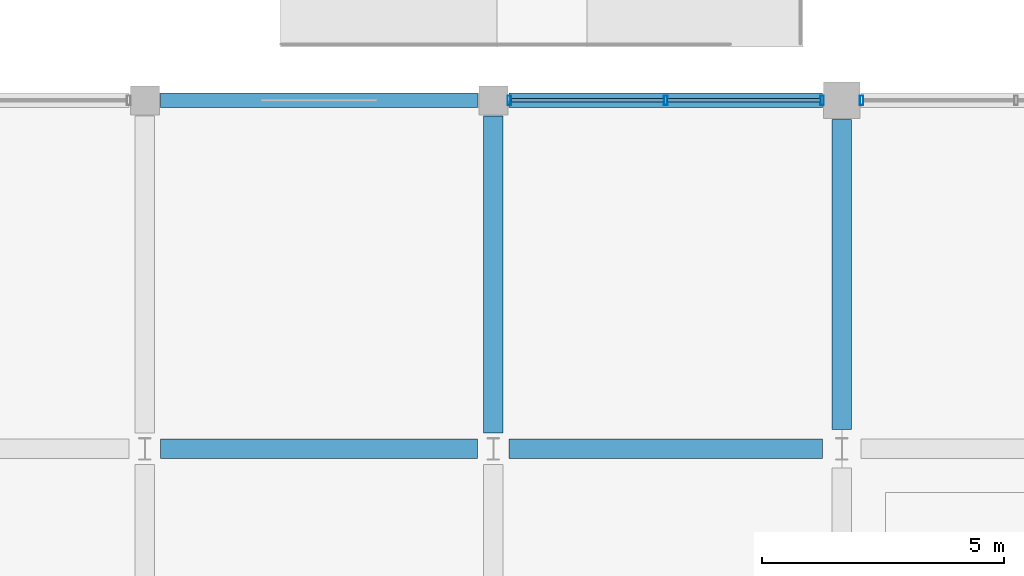
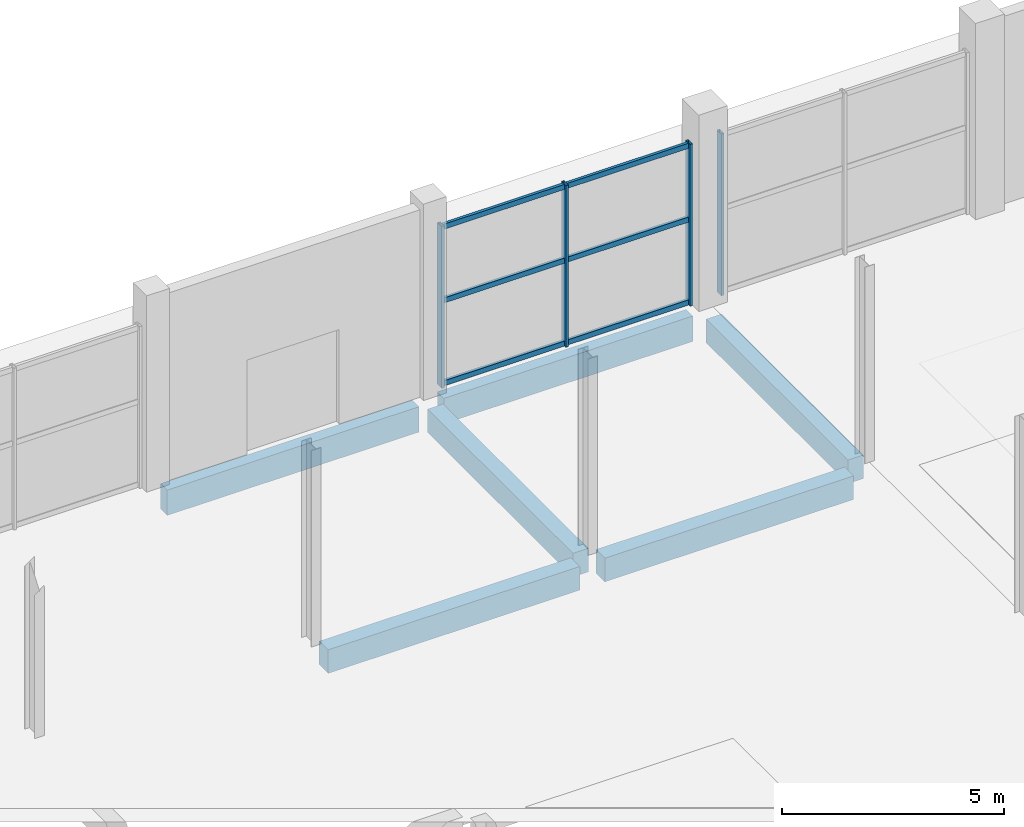
# One storey, part 29 of 90: 10 members, 6 beams, 2 elements without a shape of their own.
"""IFC4 building model written with IfcOpenShell, lengths in metres."""

from ifc_helpers import new_model, si_unit, direction, frame, origin, origin_2d, place, context, subcontext, project, spatial, rectangle, hollow_rectangle, extrude, material, layer, layer_set, material_profile, profile_set, type_object, element, aggregate, save


model = new_model("IFC4")

# Units and contexts
model_context = context("Model", 3, precision=1e-05, world=origin(), true_north=direction((0.0, 1.0)))
body_context = subcontext(model_context, "Body", "Model", "MODEL_VIEW")
ifc_project = project(units=[si_unit("LENGTHUNIT", "METRE"), si_unit("AREAUNIT", "SQUARE_METRE"), si_unit("VOLUMEUNIT", "CUBIC_METRE"), si_unit("PLANEANGLEUNIT", "RADIAN"), si_unit("MASSUNIT", "GRAM", prefix="KILO")], contexts=[model_context])

# Site, building, storey
site_placement = place(None, origin())
site = spatial("IfcSite", under=ifc_project, at=site_placement, CompositionType="ELEMENT")
building_placement = place(site_placement, origin())
building = spatial("IfcBuilding", under=site, at=building_placement, Name="Kangsadwip Square Police Headquarters", CompositionType="ELEMENT")
storey_placement = place(building_placement, origin())
storey = spatial("IfcBuildingStorey", under=building, at=storey_placement, Name="L00", CompositionType="ELEMENT", Elevation=0.0)

# Curtain wall, members
ifc_material_1 = material(Name="Thermally broken anodised aluminium AW-6063-T6", Category="aluminium")
ifc_layer_1 = layer(ifc_material_1, 0.159912109375)
ifc_layer_set_1 = layer_set([ifc_layer_1], Name="Thermally broken anodised aluminium AW-6063-T6")
curtain_wall_type_1 = type_object("IfcCurtainWallType", Name="UnitisedCw6535x4450", PredefinedType="NOTDEFINED", material=ifc_layer_set_1)
curtain_wall_1_placement = place(storey_placement, origin())
curtain_wall_1 = element("IfcCurtainWall", 1, at=curtain_wall_1_placement, inside=storey, type_object=curtain_wall_type_1, Name="Curtain Wall CW-L00-0867-1152", PredefinedType="NOTDEFINED")
ifc_material_2 = material(Name="Thermally broken anodised aluminium AW-6063-T6", Category="aluminium")
ifc_material_profile_1 = material_profile(ifc_material_2, hollow_rectangle(XDim=0.074951171875, YDim=0.199951171875, WallThickness=0.0048828125, at=origin_2d()), Name="CWM 200X75X5")
ifc_profile_set_1 = profile_set([ifc_material_profile_1], Name="Thermally broken anodised aluminium AW-6063-T6")
member_type_1 = type_object("IfcMemberType", Name="CwMullion180x75", PredefinedType="MULLION", material=ifc_profile_set_1)
member_1_placement = place(storey_placement, frame((86.732421875, 115.199951171875, 0.0), z_axis=(0.0, 0.0, 1.0), x_axis=(1.0, 0.0, 0.0)))
member_1 = element("IfcMember", 2, at=member_1_placement, type_object=member_type_1, Name="CW-09 mullion 1", PredefinedType="MULLION", context=body_context, shape_type="SweptSolid", body=[
    extrude(hollow_rectangle(XDim=0.074951171875, YDim=0.199951171875, WallThickness=0.0048828125, at=origin_2d()), origin(), (0.0, 0.0, 1.0), 4.449951171875),
])
member_2_placement = place(storey_placement, frame((89.96240234375, 115.199951171875, 0.0), z_axis=(0.0, 0.0, 1.0), x_axis=(1.0, 0.0, 0.0)))
member_2 = element("IfcMember", 3, at=member_2_placement, type_object=member_type_1, Name="CW-09 mullion 2", PredefinedType="MULLION", context=body_context, shape_type="SweptSolid", body=[
    extrude(hollow_rectangle(XDim=0.074951171875, YDim=0.199951171875, WallThickness=0.0048828125, at=origin_2d()), origin(), (0.0, 0.0, 1.0), 4.449951171875),
])
member_3_placement = place(storey_placement, frame((93.1923828125, 115.199951171875, 0.0), z_axis=(0.0, 0.0, 1.0), x_axis=(1.0, 0.0, 0.0)))
member_3 = element("IfcMember", 4, at=member_3_placement, type_object=member_type_1, Name="CW-09 mullion 3", PredefinedType="MULLION", context=body_context, shape_type="SweptSolid", body=[
    extrude(hollow_rectangle(XDim=0.074951171875, YDim=0.199951171875, WallThickness=0.0048828125, at=origin_2d()), origin(), (0.0, 0.0, 1.0), 4.449951171875),
])

# Curtain wall, member
ifc_material_3 = material(Name="Thermally broken anodised aluminium AW-6063-T6", Category="aluminium")
ifc_layer_2 = layer(ifc_material_3, 0.159912109375)
ifc_layer_set_2 = layer_set([ifc_layer_2], Name="Thermally broken anodised aluminium AW-6063-T6")
curtain_wall_type_2 = type_object("IfcCurtainWallType", Name="UnitisedCw6460x4450", PredefinedType="NOTDEFINED", material=ifc_layer_set_2)
curtain_wall_2_placement = place(storey_placement, origin())
curtain_wall_2 = element("IfcCurtainWall", 5, at=curtain_wall_2_placement, inside=storey, type_object=curtain_wall_type_2, Name="Curtain Wall CW-L00-0940-1152", PredefinedType="NOTDEFINED")
member_4_placement = place(storey_placement, frame((94.007568359375, 115.199951171875, 0.0), z_axis=(0.0, 0.0, 1.0), x_axis=(1.0, 0.0, 0.0)))
member_4 = element("IfcMember", 6, at=member_4_placement, type_object=member_type_1, Name="CW-10 mullion 1", PredefinedType="MULLION", context=body_context, shape_type="SweptSolid", body=[
    extrude(hollow_rectangle(XDim=0.074951171875, YDim=0.199951171875, WallThickness=0.0048828125, at=origin_2d()), origin(), (0.0, 0.0, 1.0), 4.449951171875),
])
aggregate(curtain_wall_2, [member_4])

# Member
ifc_material_4 = material(Name="Thermally broken anodised aluminium AW-6063-T6", Category="aluminium")
ifc_material_profile_2 = material_profile(ifc_material_4, hollow_rectangle(XDim=0.074951171875, YDim=0.139892578125, WallThickness=0.0048828125, at=origin_2d()), Name="CWT 140X75X5")
ifc_profile_set_2 = profile_set([ifc_material_profile_2], Name="Thermally broken anodised aluminium AW-6063-T6")
member_type_2 = type_object("IfcMemberType", Name="CwTransom160x65", PredefinedType="USERDEFINED", material=ifc_profile_set_2)
member_5_placement = place(storey_placement, frame((86.77001953125, 115.199951171875, 0.070068359375), z_axis=(1.0, 0.0, 0.0), x_axis=(0.0, 1.0, 0.0)))
member_5 = element("IfcMember", 7, at=member_5_placement, type_object=member_type_2, Name="CW-09 transom 1.1", ObjectType="TRANSOM", PredefinedType="USERDEFINED", context=body_context, shape_type="SweptSolid", body=[
    extrude(hollow_rectangle(XDim=0.074951171875, YDim=0.139892578125, WallThickness=0.0048828125, at=origin_2d()), origin(), (0.0, 0.0, 1.0), 3.155029296875),
])

member_6_placement = place(storey_placement, frame((86.77001953125, 115.199951171875, 2.35009765625), z_axis=(1.0, 0.0, 0.0), x_axis=(0.0, 1.0, 0.0)))
member_6 = element("IfcMember", 8, at=member_6_placement, type_object=member_type_2, Name="CW-09 transom 1.2", ObjectType="TRANSOM", PredefinedType="USERDEFINED", context=body_context, shape_type="SweptSolid", body=[
    extrude(hollow_rectangle(XDim=0.074951171875, YDim=0.139892578125, WallThickness=0.0048828125, at=origin_2d()), origin(), (0.0, 0.0, 1.0), 3.155029296875),
])

member_7_placement = place(storey_placement, frame((86.77001953125, 115.199951171875, 4.3798828125), z_axis=(1.0, 0.0, 0.0), x_axis=(0.0, 1.0, 0.0)))
member_7 = element("IfcMember", 9, at=member_7_placement, type_object=member_type_2, Name="CW-09 transom 1.3", ObjectType="TRANSOM", PredefinedType="USERDEFINED", context=body_context, shape_type="SweptSolid", body=[
    extrude(hollow_rectangle(XDim=0.074951171875, YDim=0.139892578125, WallThickness=0.0048828125, at=origin_2d()), origin(), (0.0, 0.0, 1.0), 3.155029296875),
])

member_8_placement = place(storey_placement, frame((90.0, 115.199951171875, 0.070068359375), z_axis=(1.0, 0.0, 0.0), x_axis=(0.0, 1.0, 0.0)))
member_8 = element("IfcMember", 10, at=member_8_placement, type_object=member_type_2, Name="CW-09 transom 2.1", ObjectType="TRANSOM", PredefinedType="USERDEFINED", context=body_context, shape_type="SweptSolid", body=[
    extrude(hollow_rectangle(XDim=0.074951171875, YDim=0.139892578125, WallThickness=0.0048828125, at=origin_2d()), origin(), (0.0, 0.0, 1.0), 3.155029296875),
])

member_9_placement = place(storey_placement, frame((90.0, 115.199951171875, 2.35009765625), z_axis=(1.0, 0.0, 0.0), x_axis=(0.0, 1.0, 0.0)))
member_9 = element("IfcMember", 11, at=member_9_placement, type_object=member_type_2, Name="CW-09 transom 2.2", ObjectType="TRANSOM", PredefinedType="USERDEFINED", context=body_context, shape_type="SweptSolid", body=[
    extrude(hollow_rectangle(XDim=0.074951171875, YDim=0.139892578125, WallThickness=0.0048828125, at=origin_2d()), origin(), (0.0, 0.0, 1.0), 3.155029296875),
])

member_10_placement = place(storey_placement, frame((90.0, 115.199951171875, 4.3798828125), z_axis=(1.0, 0.0, 0.0), x_axis=(0.0, 1.0, 0.0)))
member_10 = element("IfcMember", 12, at=member_10_placement, type_object=member_type_2, Name="CW-09 transom 2.3", ObjectType="TRANSOM", PredefinedType="USERDEFINED", context=body_context, shape_type="SweptSolid", body=[
    extrude(hollow_rectangle(XDim=0.074951171875, YDim=0.139892578125, WallThickness=0.0048828125, at=origin_2d()), origin(), (0.0, 0.0, 1.0), 3.155029296875),
])

aggregate(curtain_wall_1, [member_1, member_2, member_3, member_5, member_6, member_7, member_8, member_9, member_10])

# Beams
ifc_material_5 = material(Name="Concrete M35 (35 MPa)", Category="concrete")
ifc_material_profile_3 = material_profile(ifc_material_5, rectangle(XDim=0.39990234375, YDim=0.64990234375, at=origin_2d()), Name="RC BM 650X400")
ifc_profile_set_3 = profile_set([ifc_material_profile_3], Name="Concrete M35 (35 MPa)")
beam_type_1 = type_object("IfcBeamType", Name="RcBeam650x400", PredefinedType="BEAM", material=ifc_profile_set_3)
beam_1_placement = place(storey_placement, frame((79.52490234375, 108.0, -0.574951171875), z_axis=(1.0, 0.0, 0.0), x_axis=(0.0, 1.0, 0.0)))
element("IfcBeam", 13, at=beam_1_placement, inside=storey, type_object=beam_type_1, Name="Beam BM-L00-X-11-15", PredefinedType="BEAM", context=body_context, shape_type="SweptSolid", body=[
    extrude(rectangle(XDim=0.39990234375, YDim=0.64990234375, at=origin_2d()), origin(), (0.0, 0.0, 1.0), 6.550048828125),
])
beam_2_placement = place(storey_placement, frame((86.72509765625, 108.0, -0.574951171875), z_axis=(1.0, 0.0, 0.0), x_axis=(0.0, 1.0, 0.0)))
element("IfcBeam", 14, at=beam_2_placement, inside=storey, type_object=beam_type_1, Name="Beam BM-L00-X-12-15", PredefinedType="BEAM", context=body_context, shape_type="SweptSolid", body=[
    extrude(rectangle(XDim=0.39990234375, YDim=0.64990234375, at=origin_2d()), origin(), (0.0, 0.0, 1.0), 6.474853515625),
])
beam_3_placement = place(storey_placement, frame((86.39990234375, 108.324951171875, -0.574951171875), z_axis=(0.0, 1.0, 0.0), x_axis=(-1.0, 0.0, 0.0)))
element("IfcBeam", 15, at=beam_3_placement, inside=storey, type_object=beam_type_1, Name="Beam BM-L00-Y-12-15", PredefinedType="BEAM", context=body_context, shape_type="SweptSolid", body=[
    extrude(rectangle(XDim=0.39990234375, YDim=0.64990234375, at=origin_2d()), origin(), (0.0, 0.0, 1.0), 6.550048828125),
])
beam_4_placement = place(storey_placement, frame((93.60009765625, 108.39990234375, -0.574951171875), z_axis=(0.0, 1.0, 0.0), x_axis=(-1.0, 0.0, 0.0)))
element("IfcBeam", 16, at=beam_4_placement, inside=storey, type_object=beam_type_1, Name="Beam BM-L00-Y-13-15", PredefinedType="BEAM", context=body_context, shape_type="SweptSolid", body=[
    extrude(rectangle(XDim=0.39990234375, YDim=0.64990234375, at=origin_2d()), origin(), (0.0, 0.0, 1.0), 6.400146484375),
])
ifc_material_6 = material(Name="Concrete M40 (40 MPa)", Category="concrete")
ifc_material_profile_4 = material_profile(ifc_material_6, rectangle(XDim=0.300048828125, YDim=0.699951171875, at=origin_2d()), Name="RC SPN 700X300")
ifc_profile_set_4 = profile_set([ifc_material_profile_4], Name="Concrete M40 (40 MPa)")
beam_type_2 = type_object("IfcBeamType", Name="RcSpandrel700x300", PredefinedType="SPANDREL", material=ifc_profile_set_4)
beam_5_placement = place(storey_placement, frame((79.52490234375, 115.199951171875, -0.60009765625), z_axis=(1.0, 0.0, 0.0), x_axis=(0.0, 1.0, 0.0)))
element("IfcBeam", 17, at=beam_5_placement, inside=storey, type_object=beam_type_2, Name="Beam BM-L00-X-11-16", PredefinedType="SPANDREL", context=body_context, shape_type="SweptSolid", body=[
    extrude(rectangle(XDim=0.300048828125, YDim=0.699951171875, at=origin_2d()), origin(), (0.0, 0.0, 1.0), 6.550048828125),
])
beam_6_placement = place(storey_placement, frame((86.72509765625, 115.199951171875, -0.60009765625), z_axis=(1.0, 0.0, 0.0), x_axis=(0.0, 1.0, 0.0)))
element("IfcBeam", 18, at=beam_6_placement, inside=storey, type_object=beam_type_2, Name="Beam BM-L00-X-12-16", PredefinedType="SPANDREL", context=body_context, shape_type="SweptSolid", body=[
    extrude(rectangle(XDim=0.300048828125, YDim=0.699951171875, at=origin_2d()), origin(), (0.0, 0.0, 1.0), 6.474853515625),
])

save(model, "model.ifc")
